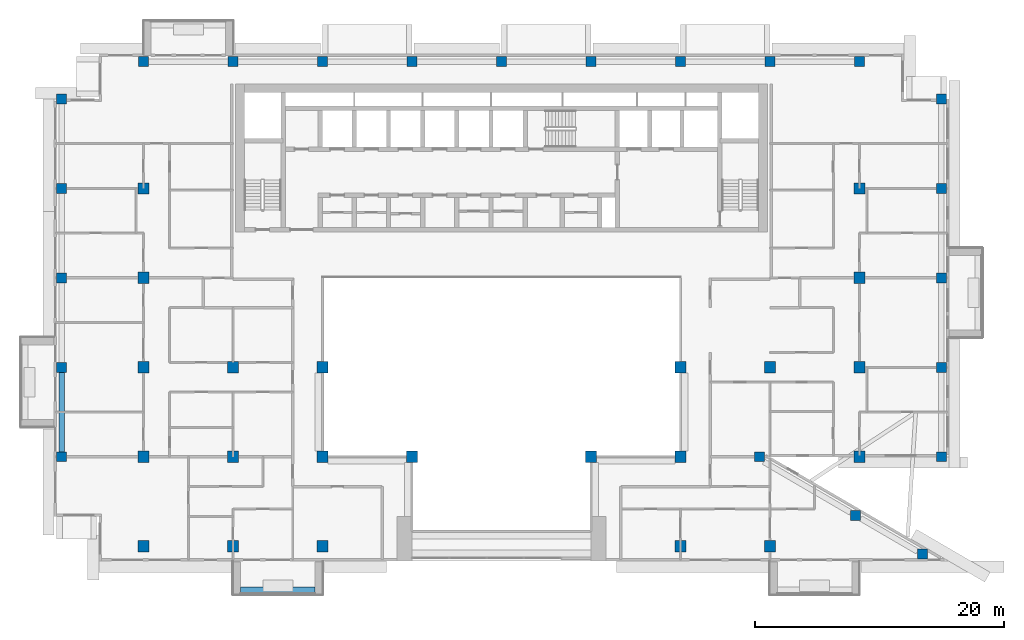
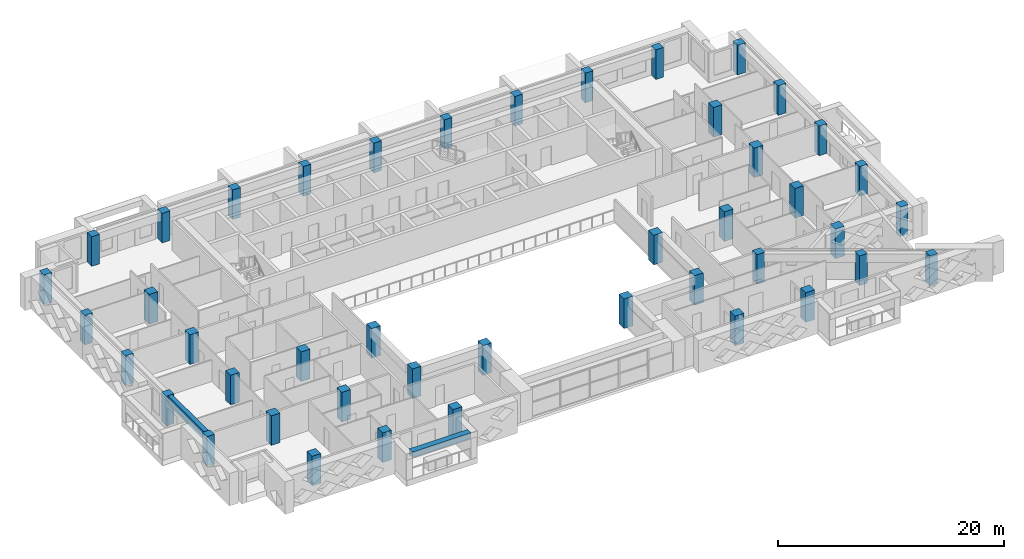
# One storey, part 1 of 20: 44 columns, 2 beams.
"""IFC4 building model written with IfcOpenShell, lengths in metres."""

from ifc_helpers import new_model, si_unit, direction, frame, origin, origin_2d, place, context, subcontext, project, spatial, rectangle, extrude, source, transform, mapped, material, material_profile, profile_set, type_object, element, save


model = new_model("IFC4")

# Units and contexts
model_context = context("Model", 3, precision=1e-05, world=origin(), true_north=direction((0.0, 1.0)))
body_context = subcontext(model_context, "Body", "Model", "MODEL_VIEW")
ifc_project = project(units=[si_unit("LENGTHUNIT", "METRE"), si_unit("AREAUNIT", "SQUARE_METRE"), si_unit("VOLUMEUNIT", "CUBIC_METRE"), si_unit("PLANEANGLEUNIT", "RADIAN"), si_unit("MASSUNIT", "GRAM", prefix="KILO")], contexts=[model_context])

# Site, building, storey
site_placement = place(None, origin())
site = spatial("IfcSite", under=ifc_project, at=site_placement, CompositionType="ELEMENT")
building_placement = place(site_placement, origin())
building = spatial("IfcBuilding", under=site, at=building_placement, Name="Saffron Iwan Residences", CompositionType="ELEMENT")
storey_placement = place(building_placement, frame((0.0, 0.0, 199.0)))
storey = spatial("IfcBuildingStorey", under=building, at=storey_placement, Name="L53", CompositionType="ELEMENT", Elevation=199.0)

# Columns
ifc_material_1 = material(Name="Concrete C50/60", Category="concrete")
ifc_material_profile_1 = material_profile(ifc_material_1, rectangle(XDim=0.89990234375, YDim=0.89990234375, at=origin_2d()), Name="RC 900x900")
ifc_profile_set_1 = profile_set([ifc_material_profile_1], Name="Concrete C50/60")
column_type_1 = type_object("IfcColumnType", Name="COL RC 900x900 C50/60 3200 HIGH", PredefinedType="COLUMN", material=ifc_profile_set_1)
shared_shape_1 = source(origin(), body_context, "Body", "SweptSolid", [
    extrude(rectangle(XDim=0.89990234375, YDim=0.89990234375, at=origin_2d()), origin(), (0.0, 0.0, 1.0), 3.199951171875),
])
for number, where, z_axis, x_axis, name in (
    (1, (21.60009765625, 40.800048828125, 0.0), (0.0, 0.0, 1.0), (1.0, 0.0, 0.0), "Column C049"),
    (2, (28.800048828125, 40.800048828125, 0.0), (0.0, 0.0, 1.0), (1.0, 0.0, 0.0), "Column C051"),
    (3, (36.0, 40.800048828125, 0.0), (0.0, 0.0, 1.0), (1.0, 0.0, 0.0), "Column C052"),
    (4, (64.800048828125, 40.800048828125, 0.0), (0.0, 0.0, 1.0), (1.0, 0.0, 0.0), "Column C055"),
    (5, (72.0, 40.800048828125, 0.0), (0.0, 0.0, 1.0), (1.0, 0.0, 0.0), "Column C056"),
    (6, (21.60009765625, 48.0, 0.0), (0.0, 0.0, 1.0), (1.0, 0.0, 0.0), "Column C063"),
    (7, (28.800048828125, 48.0, 0.0), (0.0, 0.0, 1.0), (1.0, 0.0, 0.0), "Column C064"),
    (8, (36.0, 48.0, 0.0), (0.0, 0.0, 1.0), (1.0, 0.0, 0.0), "Column C065"),
    (9, (43.199951171875, 48.0, 0.0), (0.0, 0.0, 1.0), (1.0, 0.0, 0.0), "Column C066"),
    (10, (57.60009765625, 48.0, 0.0), (0.0, 0.0, 1.0), (1.0, 0.0, 0.0), "Column C068"),
    (11, (64.800048828125, 48.0, 0.0), (0.0, 0.0, 1.0), (1.0, 0.0, 0.0), "Column C069"),
    (12, (79.199951171875, 48.0, 0.0), (0.0, 0.0, 1.0), (1.0, 0.0, 0.0), "Column C072"),
    (13, (21.60009765625, 55.199951171875, 0.0), (0.0, 0.0, 1.0), (1.0, 0.0, 0.0), "Column C079"),
    (14, (28.800048828125, 55.199951171875, 0.0), (0.0, 0.0, 1.0), (1.0, 0.0, 0.0), "Column C080"),
    (15, (36.0, 55.199951171875, 0.0), (0.0, 0.0, 1.0), (1.0, 0.0, 0.0), "Column C081"),
    (16, (64.800048828125, 55.199951171875, 0.0), (0.0, 0.0, 1.0), (1.0, 0.0, 0.0), "Column C082"),
    (17, (72.0, 55.199951171875, 0.0), (0.0, 0.0, 1.0), (1.0, 0.0, 0.0), "Column C083"),
    (18, (79.199951171875, 55.199951171875, 0.0), (0.0, 0.0, 1.0), (1.0, 0.0, 0.0), "Column C084"),
    (19, (21.60009765625, 62.39990234375, 0.0), (0.0, 0.0, 1.0), (1.0, 0.0, 0.0), "Column C091"),
    (20, (79.199951171875, 62.39990234375, 0.0), (0.0, 0.0, 1.0), (1.0, 0.0, 0.0), "Column C092"),
    (21, (21.60009765625, 69.60009765625, 0.0), (0.0, 0.0, 1.0), (1.0, 0.0, 0.0), "Column C099"),
    (22, (79.199951171875, 69.60009765625, 0.0), (0.0, 0.0, 1.0), (1.0, 0.0, 0.0), "Column C100"),
):
    element("IfcColumn", number, at=place(storey_placement, frame(where, z_axis=z_axis, x_axis=x_axis)), inside=storey, type_object=column_type_1, Name=name, PredefinedType="COLUMN", context=body_context, shape_type="MappedRepresentation", body=[
        mapped(shared_shape_1, transform((0.0, 0.0, 0.0))),
    ])
ifc_material_profile_2 = material_profile(ifc_material_1, rectangle(XDim=0.800048828125, YDim=0.800048828125, at=origin_2d()), Name="RC 800x800")
ifc_profile_set_2 = profile_set([ifc_material_profile_2], Name="Concrete C50/60")
column_type_2 = type_object("IfcColumnType", Name="COL RC 800x800 C50/60 3200 HIGH", PredefinedType="COLUMN", material=ifc_profile_set_2)
shared_shape_2 = source(origin(), body_context, "Body", "SweptSolid", [
    extrude(rectangle(XDim=0.800048828125, YDim=0.800048828125, at=origin_2d()), origin(), (0.0, 0.0, 1.0), 3.199951171875),
])
for number, where, z_axis, x_axis, name in (
    (23, (84.276123046875, 40.17431640625, 0.0), (0.0, 0.0, 1.0), (1.0, 0.0, 0.0), "Column C045"),
    (24, (78.897705078125, 43.28173828125, 0.0), (0.0, 0.0, 1.0), (1.0, 0.0, 0.0), "Column C058"),
    (25, (15.0, 48.0, 0.0), (0.0, 0.0, 1.0), (1.0, 0.0, 0.0), "Column C061"),
    (26, (71.14990234375, 48.0, 0.0), (0.0, 0.0, 1.0), (1.0, 0.0, 0.0), "Column C070"),
    (27, (85.800048828125, 48.0, 0.0), (0.0, 0.0, 1.0), (1.0, 0.0, 0.0), "Column C074"),
    (28, (15.0, 55.199951171875, 0.0), (0.0, 0.0, 1.0), (1.0, 0.0, 0.0), "Column C077"),
    (29, (85.800048828125, 55.199951171875, 0.0), (0.0, 0.0, 1.0), (1.0, 0.0, 0.0), "Column C086"),
    (30, (15.0, 62.39990234375, 0.0), (0.0, 0.0, 1.0), (1.0, 0.0, 0.0), "Column C089"),
    (31, (85.800048828125, 62.39990234375, 0.0), (0.0, 0.0, 1.0), (1.0, 0.0, 0.0), "Column C094"),
    (32, (15.0, 69.60009765625, 0.0), (0.0, 0.0, 1.0), (1.0, 0.0, 0.0), "Column C097"),
    (33, (85.800048828125, 69.60009765625, 0.0), (0.0, 0.0, 1.0), (1.0, 0.0, 0.0), "Column C102"),
    (34, (15.0, 76.800048828125, 0.0), (0.0, 0.0, 1.0), (1.0, 0.0, 0.0), "Column C105"),
    (35, (85.800048828125, 76.800048828125, 0.0), (0.0, 0.0, 1.0), (1.0, 0.0, 0.0), "Column C110"),
    (36, (21.60009765625, 79.800048828125, 0.0), (0.0, 0.0, 1.0), (1.0, 0.0, 0.0), "Column C113"),
    (37, (28.800048828125, 79.800048828125, 0.0), (0.0, 0.0, 1.0), (1.0, 0.0, 0.0), "Column C115"),
    (38, (36.0, 79.800048828125, 0.0), (0.0, 0.0, 1.0), (1.0, 0.0, 0.0), "Column C116"),
    (39, (43.199951171875, 79.800048828125, 0.0), (0.0, 0.0, 1.0), (1.0, 0.0, 0.0), "Column C117"),
    (40, (50.39990234375, 79.800048828125, 0.0), (0.0, 0.0, 1.0), (1.0, 0.0, 0.0), "Column C118"),
    (41, (57.60009765625, 79.800048828125, 0.0), (0.0, 0.0, 1.0), (1.0, 0.0, 0.0), "Column C119"),
    (42, (64.800048828125, 79.800048828125, 0.0), (0.0, 0.0, 1.0), (1.0, 0.0, 0.0), "Column C120"),
    (43, (72.0, 79.800048828125, 0.0), (0.0, 0.0, 1.0), (1.0, 0.0, 0.0), "Column C121"),
    (44, (79.199951171875, 79.800048828125, 0.0), (0.0, 0.0, 1.0), (1.0, 0.0, 0.0), "Column C123"),
):
    element("IfcColumn", number, at=place(storey_placement, frame(where, z_axis=z_axis, x_axis=x_axis)), inside=storey, type_object=column_type_2, Name=name, PredefinedType="COLUMN", context=body_context, shape_type="MappedRepresentation", body=[
        mapped(shared_shape_2, transform((0.0, 0.0, 0.0))),
    ])

# Beams
ifc_material_profile_3 = material_profile(ifc_material_1, rectangle(XDim=0.449951171875, YDim=0.89990234375, at=origin_2d()), Name="RC 450x900")
ifc_profile_set_3 = profile_set([ifc_material_profile_3], Name="Concrete C50/60")
beam_type_1 = type_object("IfcBeamType", Name="SPANDREL BEAM RC 450x900 C50/60 TOP 3200", PredefinedType="SPANDREL", material=ifc_profile_set_3)
shared_shape_3 = source(origin(), body_context, "Body", "SweptSolid", [
    extrude(rectangle(XDim=0.449951171875, YDim=0.89990234375, at=origin_2d()), origin(), (0.0, 0.0, 1.0), 6.400146484375),
])
beam_1_placement = place(storey_placement, frame((15.0, 48.39990234375, 2.75), z_axis=(0.0, 1.0, 0.0), x_axis=(-1.0, 0.0, 0.0)))
element("IfcBeam", 45, at=beam_1_placement, inside=storey, type_object=beam_type_1, Name="Spandrel beam", PredefinedType="SPANDREL", context=body_context, shape_type="MappedRepresentation", body=[
    mapped(shared_shape_3, transform((0.0, 0.0, 0.0))),
])
ifc_material_2 = material(Name="Concrete C50/60 white painted", Category="concrete")
ifc_material_profile_4 = material_profile(ifc_material_2, rectangle(XDim=0.60009765625, YDim=0.60009765625, at=origin_2d()), Name="BALCONY FASCIA BEAM 600 x 600")
ifc_profile_set_4 = profile_set([ifc_material_profile_4], Name="Concrete C50/60 white painted")
beam_type_2 = type_object("IfcBeamType", Name="BALCONY FASCIA BEAM 600 x 600", PredefinedType="BEAM", material=ifc_profile_set_4)
shared_shape_4 = source(origin(), body_context, "Body", "SweptSolid", [
    extrude(rectangle(XDim=0.60009765625, YDim=0.60009765625, at=origin_2d()), origin(), (0.0, 0.0, 1.0), 6.0),
])
beam_2_placement = place(storey_placement, frame((29.39990234375, 37.199951171875, 2.550048828125), z_axis=(1.0, 0.0, 0.0), x_axis=(0.0, 1.0, 0.0)))
element("IfcBeam", 46, at=beam_2_placement, inside=storey, type_object=beam_type_2, Name="Balcony fascia beam L53 11-0", PredefinedType="BEAM", context=body_context, shape_type="MappedRepresentation", body=[
    mapped(shared_shape_4, transform((0.0, 0.0, 0.0))),
])

save(model, "model.ifc")
